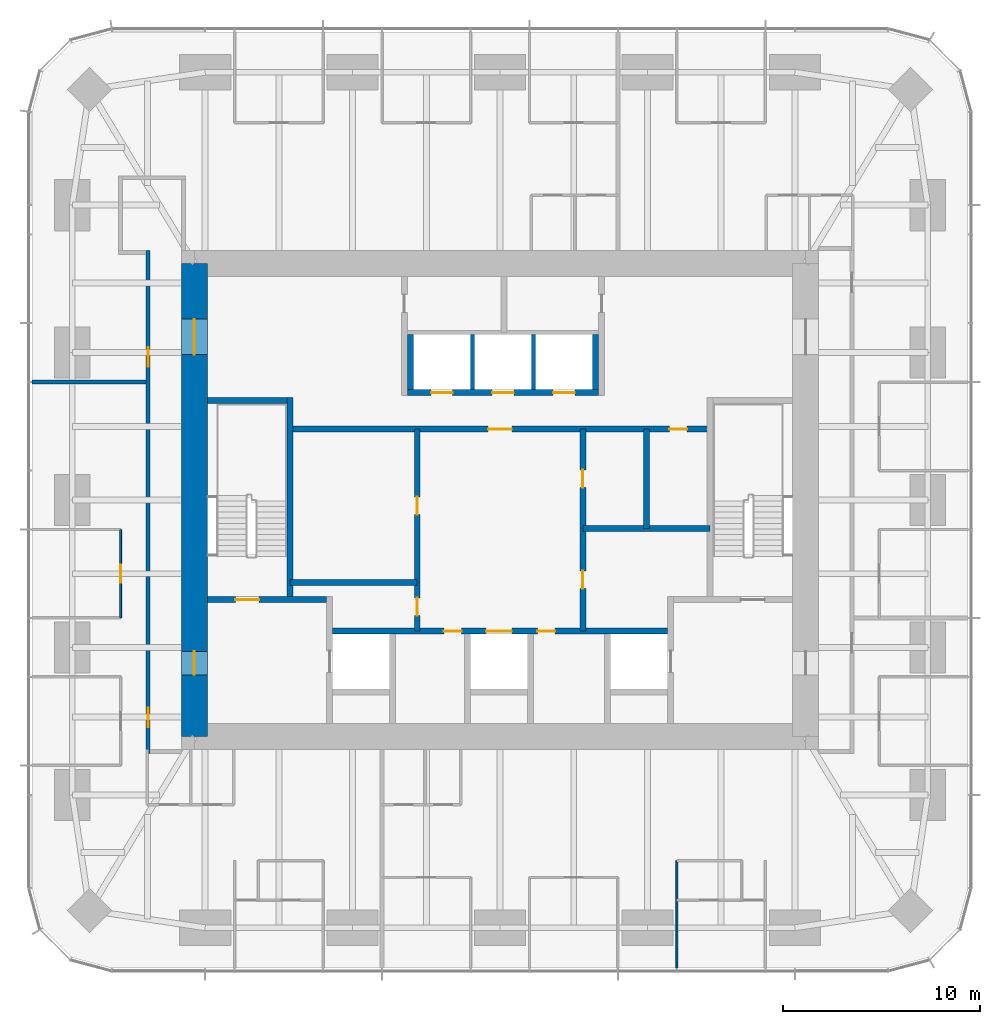
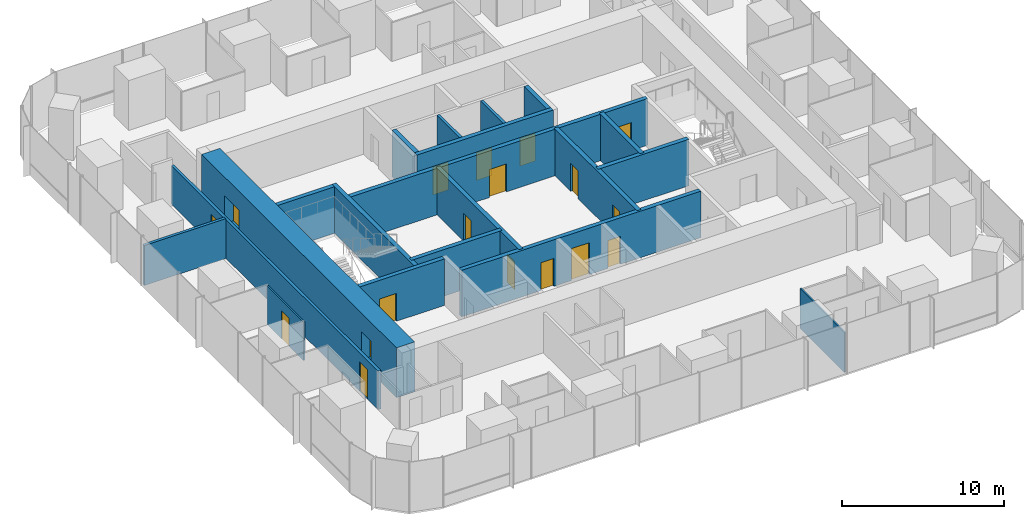
# One storey, part 9 of 12: 20 walls, 18 doors, 18 openings.
"""IFC4 building model written with IfcOpenShell, lengths in metres."""

from ifc_helpers import new_model, si_unit, direction, frame, frame_2d, origin, place, context, subcontext, project, spatial, rectangle, extrude, material, layer, layer_set, type_object, element, fill, save


model = new_model("IFC4")

# Units and contexts
model_context = context("Model", 3, precision=1e-05, world=origin(), true_north=direction((0.0, 1.0)))
body_context = subcontext(model_context, "Body", "Model", "MODEL_VIEW")
ifc_project = project(units=[si_unit("LENGTHUNIT", "METRE"), si_unit("AREAUNIT", "SQUARE_METRE"), si_unit("VOLUMEUNIT", "CUBIC_METRE"), si_unit("PLANEANGLEUNIT", "RADIAN"), si_unit("MASSUNIT", "GRAM", prefix="KILO")], contexts=[model_context])

# Site, building, storey
site_placement = place(None, origin())
site = spatial("IfcSite", under=ifc_project, at=site_placement, CompositionType="ELEMENT")
building_placement = place(site_placement, origin())
building = spatial("IfcBuilding", under=site, at=building_placement, Name="Khuree Lantern Residences", CompositionType="ELEMENT")
storey_placement = place(building_placement, frame((0.0, 0.0, 297.0)))
storey = spatial("IfcBuildingStorey", under=building, at=storey_placement, Name="L74", CompositionType="ELEMENT", Elevation=297.0)

# Wall, openings, doors
ifc_material_1 = material(Name="Dense concrete blockwork", Category="masonry")
ifc_layer_1 = layer(ifc_material_1, 0.300048828125)
ifc_layer_set_1 = layer_set([ifc_layer_1], Name="CORE PARTITION WALL CPW300 EI 120")
wall_type_1 = type_object("IfcWallType", Name="CORE PARTITION WALL CPW300 EI 120", PredefinedType="PARTITIONING", material=ifc_layer_set_1)
wall_1_placement = place(storey_placement, frame((-8.5, -6.64990234375, 0.0), z_axis=(0.0, 0.0, 1.0), x_axis=(1.0, 0.0, 0.0)))
wall_1 = element("IfcWall", 1, at=wall_1_placement, inside=storey, type_object=wall_type_1, Name="L74 CORE WALL FLROW", PredefinedType="PARTITIONING", context=body_context, shape_type="SweptSolid", body=[
    extrude(rectangle(XDim=17.0, YDim=0.300048828125, at=frame_2d((8.5, 0.0))), origin(), (0.0, 0.0, 1.0), 3.5),
])
opening_1_placement = place(wall_1_placement, frame((7.800048828125, 0.0, 0.0)))
opening_1 = element("IfcOpeningElement", 2, at=opening_1_placement, cuts=wall_1, Name="Opening 74-012", PredefinedType="OPENING", context=body_context, shape_type="SweptSolid", body=[
    extrude(rectangle(XDim=1.300048828125, YDim=2.39990234375, at=frame_2d((0.64990234375, 1.199951171875))), frame((0.0, 0.16015625, 0.0), z_axis=(0.0, -1.0, 0.0), x_axis=(1.0, 0.0, 0.0)), (0.0, 0.0, 1.0), 0.320068359375),
])
opening_2_placement = place(wall_1_placement, frame((5.64990234375, 0.0, 0.0)))
opening_2 = element("IfcOpeningElement", 3, at=opening_2_placement, cuts=wall_1, Name="Opening 74-014", PredefinedType="OPENING", context=body_context, shape_type="SweptSolid", body=[
    extrude(rectangle(XDim=0.89990234375, YDim=2.10009765625, at=frame_2d((0.449951171875, 1.050048828125))), frame((0.0, 0.16015625, 0.0), z_axis=(0.0, -1.0, 0.0), x_axis=(1.0, 0.0, 0.0)), (0.0, 0.0, 1.0), 0.320068359375),
])
opening_3_placement = place(wall_1_placement, frame((10.39990234375, 0.0, 0.0)))
opening_3 = element("IfcOpeningElement", 4, at=opening_3_placement, cuts=wall_1, Name="Opening 74-015", PredefinedType="OPENING", context=body_context, shape_type="SweptSolid", body=[
    extrude(rectangle(XDim=0.89990234375, YDim=2.10009765625, at=frame_2d((0.449951171875, 1.050048828125))), frame((0.0, 0.16015625, 0.0), z_axis=(0.0, -1.0, 0.0), x_axis=(1.0, 0.0, 0.0)), (0.0, 0.0, 1.0), 0.320068359375),
])
ifc_material_2 = material(Name="Steel door leaf in steel frame", Category="steel")
door_type_1 = type_object("IfcDoorType", Name="DOOR 900X2100 EI 60", OperationType="SINGLE_SWING_LEFT", PredefinedType="DOOR", material=ifc_material_2)
door_1_placement = place(opening_2_placement, origin())
door_1 = element("IfcDoor", 5, at=door_1_placement, inside=storey, type_object=door_type_1, Name="Refuse chute room door 74-014", OperationType="SINGLE_SWING_LEFT", OverallHeight=2.10009765625, OverallWidth=0.89990234375, PredefinedType="DOOR", context=body_context, shape_type="SweptSolid", body=[
    extrude(rectangle(XDim=0.89990234375, YDim=2.10009765625, at=frame_2d((0.449951171875, 1.050048828125))), frame((0.0, 0.02490234375, 0.0), z_axis=(0.0, -1.0, 0.0), x_axis=(1.0, 0.0, 0.0)), (0.0, 0.0, 1.0), 0.050048828125),
])
fill(opening_2, door_1)
door_type_2 = type_object("IfcDoorType", Name="DOOR 900X2100 EI 60 RIGHT HAND", OperationType="SINGLE_SWING_RIGHT", PredefinedType="DOOR", material=ifc_material_2)
door_2_placement = place(opening_3_placement, origin())
door_2 = element("IfcDoor", 6, at=door_2_placement, inside=storey, type_object=door_type_2, Name="Electrical and plumbing riser door 74-015", OperationType="SINGLE_SWING_RIGHT", OverallHeight=2.10009765625, OverallWidth=0.89990234375, PredefinedType="DOOR", context=body_context, shape_type="SweptSolid", body=[
    extrude(rectangle(XDim=0.89990234375, YDim=2.10009765625, at=frame_2d((0.449951171875, 1.050048828125))), frame((0.0, 0.02490234375, 0.0), z_axis=(0.0, -1.0, 0.0), x_axis=(1.0, 0.0, 0.0)), (0.0, 0.0, 1.0), 0.050048828125),
])
fill(opening_3, door_2)
ifc_material_3 = material(Name="Stainless steel lift landing door", Category="steel")
door_type_3 = type_object("IfcDoorType", Name="LIFT LANDING DOOR 1300X2400 E 60", OperationType="DOUBLE_DOOR_SLIDING", PredefinedType="DOOR", material=ifc_material_3)
door_3_placement = place(opening_1_placement, origin())
door_3 = element("IfcDoor", 7, at=door_3_placement, inside=storey, type_object=door_type_3, Name="Landing door SL1 74-012", OperationType="DOUBLE_DOOR_SLIDING", OverallHeight=2.39990234375, OverallWidth=1.300048828125, PredefinedType="DOOR", context=body_context, shape_type="SweptSolid", body=[
    extrude(rectangle(XDim=1.300048828125, YDim=2.39990234375, at=frame_2d((0.64990234375, 1.199951171875))), frame((0.0, 0.02490234375, 0.0), z_axis=(0.0, -1.0, 0.0), x_axis=(1.0, 0.0, 0.0)), (0.0, 0.0, 1.0), 0.050048828125),
])
fill(opening_1, door_3)

wall_2_placement = place(storey_placement, frame((-4.699951171875, 5.449951171875, 0.0), z_axis=(0.0, 0.0, 1.0), x_axis=(1.0, 0.0, 0.0)))
wall_2 = element("IfcWall", 8, at=wall_2_placement, inside=storey, type_object=wall_type_1, Name="L74 CORE WALL PHS", PredefinedType="PARTITIONING", context=body_context, shape_type="SweptSolid", body=[
    extrude(rectangle(XDim=9.699951171875, YDim=0.300048828125, at=frame_2d((4.85009765625, 0.0))), origin(), (0.0, 0.0, 1.0), 3.5),
])
opening_4_placement = place(wall_2_placement, frame((1.199951171875, 0.0, 0.0)))
opening_4 = element("IfcOpeningElement", 9, at=opening_4_placement, cuts=wall_2, Name="Opening 74-009", PredefinedType="OPENING", context=body_context, shape_type="SweptSolid", body=[
    extrude(rectangle(XDim=1.10009765625, YDim=2.10009765625, at=frame_2d((0.550048828125, 1.050048828125))), frame((0.0, 0.16015625, 0.0), z_axis=(0.0, -1.0, 0.0), x_axis=(1.0, 0.0, 0.0)), (0.0, 0.0, 1.0), 0.320068359375),
])
opening_5_placement = place(wall_2_placement, frame((4.300048828125, 0.0, 0.0)))
opening_5 = element("IfcOpeningElement", 10, at=opening_5_placement, cuts=wall_2, Name="Opening 74-010", PredefinedType="OPENING", context=body_context, shape_type="SweptSolid", body=[
    extrude(rectangle(XDim=1.10009765625, YDim=2.10009765625, at=frame_2d((0.550048828125, 1.050048828125))), frame((0.0, 0.16015625, 0.0), z_axis=(0.0, -1.0, 0.0), x_axis=(1.0, 0.0, 0.0)), (0.0, 0.0, 1.0), 0.320068359375),
])
opening_6_placement = place(wall_2_placement, frame((7.39990234375, 0.0, 0.0)))
opening_6 = element("IfcOpeningElement", 11, at=opening_6_placement, cuts=wall_2, Name="Opening 74-011", PredefinedType="OPENING", context=body_context, shape_type="SweptSolid", body=[
    extrude(rectangle(XDim=1.10009765625, YDim=2.10009765625, at=frame_2d((0.550048828125, 1.050048828125))), frame((0.0, 0.16015625, 0.0), z_axis=(0.0, -1.0, 0.0), x_axis=(1.0, 0.0, 0.0)), (0.0, 0.0, 1.0), 0.320068359375),
])
door_type_4 = type_object("IfcDoorType", Name="LIFT LANDING DOOR 1100X2100 E 60", OperationType="DOUBLE_DOOR_SLIDING", PredefinedType="DOOR", material=ifc_material_3)
door_4_placement = place(opening_4_placement, origin())
door_4 = element("IfcDoor", 12, at=door_4_placement, inside=storey, type_object=door_type_4, Name="Landing door PH1 74-009", OperationType="DOUBLE_DOOR_SLIDING", OverallHeight=2.10009765625, OverallWidth=1.10009765625, PredefinedType="DOOR", context=body_context, shape_type="SweptSolid", body=[
    extrude(rectangle(XDim=1.10009765625, YDim=2.10009765625, at=frame_2d((0.550048828125, 1.050048828125))), frame((0.0, 0.02490234375, 0.0), z_axis=(0.0, -1.0, 0.0), x_axis=(1.0, 0.0, 0.0)), (0.0, 0.0, 1.0), 0.050048828125),
])
fill(opening_4, door_4)
door_5_placement = place(opening_5_placement, origin())
door_5 = element("IfcDoor", 13, at=door_5_placement, inside=storey, type_object=door_type_4, Name="Landing door PH2 74-010", OperationType="DOUBLE_DOOR_SLIDING", OverallHeight=2.10009765625, OverallWidth=1.10009765625, PredefinedType="DOOR", context=body_context, shape_type="SweptSolid", body=[
    extrude(rectangle(XDim=1.10009765625, YDim=2.10009765625, at=frame_2d((0.550048828125, 1.050048828125))), frame((0.0, 0.02490234375, 0.0), z_axis=(0.0, -1.0, 0.0), x_axis=(1.0, 0.0, 0.0)), (0.0, 0.0, 1.0), 0.050048828125),
])
fill(opening_5, door_5)
door_6_placement = place(opening_6_placement, origin())
door_6 = element("IfcDoor", 14, at=door_6_placement, inside=storey, type_object=door_type_4, Name="Landing door PH3 74-011", OperationType="DOUBLE_DOOR_SLIDING", OverallHeight=2.10009765625, OverallWidth=1.10009765625, PredefinedType="DOOR", context=body_context, shape_type="SweptSolid", body=[
    extrude(rectangle(XDim=1.10009765625, YDim=2.10009765625, at=frame_2d((0.550048828125, 1.050048828125))), frame((0.0, 0.02490234375, 0.0), z_axis=(0.0, -1.0, 0.0), x_axis=(1.0, 0.0, 0.0)), (0.0, 0.0, 1.0), 0.050048828125),
])
fill(opening_6, door_6)

# Walls
for number, where, z_axis, x_axis, name in (
    (15, (-4.550048828125, 5.60009765625, 0.0), (0.0, 0.0, 1.0), (0.0, 1.0, 0.0), "L74 CORE WALL PHW"),
    (16, (4.85009765625, 5.60009765625, 0.0), (0.0, 0.0, 1.0), (0.0, 1.0, 0.0), "L74 CORE WALL PHE"),
):
    element("IfcWall", number, at=place(storey_placement, frame(where, z_axis=z_axis, x_axis=x_axis)), inside=storey, type_object=wall_type_1, Name=name, PredefinedType="PARTITIONING", context=body_context, shape_type="SweptSolid", body=[
        extrude(rectangle(XDim=2.7998046875, YDim=0.300048828125, at=frame_2d((1.39990234375, 0.0))), origin(), (0.0, 0.0, 1.0), 3.5),
    ])

# Wall, openings, doors
wall_3_placement = place(storey_placement, frame((-10.64990234375, 3.60009765625, 0.0), z_axis=(0.0, 0.0, 1.0), x_axis=(1.0, 0.0, 0.0)))
wall_3 = element("IfcWall", 17, at=wall_3_placement, inside=storey, type_object=wall_type_1, Name="L74 CORE WALL LLS", PredefinedType="PARTITIONING", context=body_context, shape_type="SweptSolid", body=[
    extrude(rectangle(XDim=21.2998046875, YDim=0.300048828125, at=frame_2d((10.64990234375, 0.0))), origin(), (0.0, 0.0, 1.0), 3.5),
])
opening_7_placement = place(wall_3_placement, frame((10.050048828125, 0.0, 0.0)))
opening_7 = element("IfcOpeningElement", 18, at=opening_7_placement, cuts=wall_3, Name="Opening 74-013", PredefinedType="OPENING", context=body_context, shape_type="SweptSolid", body=[
    extrude(rectangle(XDim=1.199951171875, YDim=2.10009765625, at=frame_2d((0.60009765625, 1.050048828125))), frame((0.0, 0.16015625, 0.0), z_axis=(0.0, -1.0, 0.0), x_axis=(1.0, 0.0, 0.0)), (0.0, 0.0, 1.0), 0.320068359375),
])
opening_8_placement = place(wall_3_placement, frame((19.238037109375, 0.0, 0.0)))
opening_8 = element("IfcOpeningElement", 19, at=opening_8_placement, cuts=wall_3, Name="Opening 74-020", PredefinedType="OPENING", context=body_context, shape_type="SweptSolid", body=[
    extrude(rectangle(XDim=0.89990234375, YDim=2.10009765625, at=frame_2d((0.449951171875, 1.050048828125))), frame((0.0, 0.16015625, 0.0), z_axis=(0.0, -1.0, 0.0), x_axis=(1.0, 0.0, 0.0)), (0.0, 0.0, 1.0), 0.320068359375),
])
door_type_5 = type_object("IfcDoorType", Name="DOOR 1200X2100 EI 60", OperationType="SINGLE_SWING_LEFT", PredefinedType="DOOR", material=ifc_material_2)
door_7_placement = place(opening_7_placement, origin())
door_7 = element("IfcDoor", 20, at=door_7_placement, inside=storey, type_object=door_type_5, Name="Service lift lobby door 74-013", OperationType="SINGLE_SWING_LEFT", OverallHeight=2.10009765625, OverallWidth=1.199951171875, PredefinedType="DOOR", context=body_context, shape_type="SweptSolid", body=[
    extrude(rectangle(XDim=1.199951171875, YDim=2.10009765625, at=frame_2d((0.60009765625, 1.050048828125))), frame((0.0, 0.02490234375, 0.0), z_axis=(0.0, -1.0, 0.0), x_axis=(1.0, 0.0, 0.0)), (0.0, 0.0, 1.0), 0.050048828125),
])
fill(opening_7, door_7)
ifc_material_4 = material(Name="Timber door leaf in hardwood frame", Category="wood")
door_type_6 = type_object("IfcDoorType", Name="DOOR 900X2100 RIGHT HAND", OperationType="SINGLE_SWING_RIGHT", PredefinedType="DOOR", material=ifc_material_4)
door_8_placement = place(opening_8_placement, origin())
door_8 = element("IfcDoor", 21, at=door_8_placement, inside=storey, type_object=door_type_6, Name="Housekeeping store door 74-020", OperationType="SINGLE_SWING_RIGHT", OverallHeight=2.10009765625, OverallWidth=0.89990234375, PredefinedType="DOOR", context=body_context, shape_type="SweptSolid", body=[
    extrude(rectangle(XDim=0.89990234375, YDim=2.10009765625, at=frame_2d((0.449951171875, 1.050048828125))), frame((0.0, 0.02490234375, 0.0), z_axis=(0.0, -1.0, 0.0), x_axis=(1.0, 0.0, 0.0)), (0.0, 0.0, 1.0), 0.050048828125),
])
fill(opening_8, door_8)

wall_4_placement = place(storey_placement, frame((-4.199951171875, -6.64990234375, 0.0), z_axis=(0.0, 0.0, 1.0), x_axis=(0.0, 1.0, 0.0)))
wall_4 = element("IfcWall", 22, at=wall_4_placement, inside=storey, type_object=wall_type_1, Name="L74 CORE WALL SVW", PredefinedType="PARTITIONING", context=body_context, shape_type="SweptSolid", body=[
    extrude(rectangle(XDim=10.25, YDim=0.300048828125, at=frame_2d((5.125, 0.0))), origin(), (0.0, 0.0, 1.0), 3.5),
])
opening_9_placement = place(wall_4_placement, frame((0.787109375, 0.0, 0.0)))
opening_9 = element("IfcOpeningElement", 23, at=opening_9_placement, cuts=wall_4, Name="Opening 74-016", PredefinedType="OPENING", context=body_context, shape_type="SweptSolid", body=[
    extrude(rectangle(XDim=0.89990234375, YDim=2.10009765625, at=frame_2d((0.449951171875, 1.050048828125))), frame((0.0, 0.16015625, 0.0), z_axis=(0.0, -1.0, 0.0), x_axis=(1.0, 0.0, 0.0)), (0.0, 0.0, 1.0), 0.320068359375),
])
opening_10_placement = place(wall_4_placement, frame((5.912109375, 0.0, 0.0)))
opening_10 = element("IfcOpeningElement", 24, at=opening_10_placement, cuts=wall_4, Name="Opening 74-017", PredefinedType="OPENING", context=body_context, shape_type="SweptSolid", body=[
    extrude(rectangle(XDim=0.89990234375, YDim=2.10009765625, at=frame_2d((0.449951171875, 1.050048828125))), frame((0.0, 0.16015625, 0.0), z_axis=(0.0, -1.0, 0.0), x_axis=(1.0, 0.0, 0.0)), (0.0, 0.0, 1.0), 0.320068359375),
])
door_type_7 = type_object("IfcDoorType", Name="DOOR 900X2100", OperationType="SINGLE_SWING_LEFT", PredefinedType="DOOR", material=ifc_material_4)
door_9_placement = place(opening_9_placement, origin())
door_9 = element("IfcDoor", 25, at=door_9_placement, inside=storey, type_object=door_type_7, Name="Housekeeping store door 74-016", OperationType="SINGLE_SWING_LEFT", OverallHeight=2.10009765625, OverallWidth=0.89990234375, PredefinedType="DOOR", context=body_context, shape_type="SweptSolid", body=[
    extrude(rectangle(XDim=0.89990234375, YDim=2.10009765625, at=frame_2d((0.449951171875, 1.050048828125))), frame((0.0, 0.02490234375, 0.0), z_axis=(0.0, -1.0, 0.0), x_axis=(1.0, 0.0, 0.0)), (0.0, 0.0, 1.0), 0.050048828125),
])
fill(opening_9, door_9)
door_10_placement = place(opening_10_placement, origin())
door_10 = element("IfcDoor", 26, at=door_10_placement, inside=storey, type_object=door_type_7, Name="Residents' store door 74-017", OperationType="SINGLE_SWING_LEFT", OverallHeight=2.10009765625, OverallWidth=0.89990234375, PredefinedType="DOOR", context=body_context, shape_type="SweptSolid", body=[
    extrude(rectangle(XDim=0.89990234375, YDim=2.10009765625, at=frame_2d((0.449951171875, 1.050048828125))), frame((0.0, 0.02490234375, 0.0), z_axis=(0.0, -1.0, 0.0), x_axis=(1.0, 0.0, 0.0)), (0.0, 0.0, 1.0), 0.050048828125),
])
fill(opening_10, door_10)

wall_5_placement = place(storey_placement, frame((4.199951171875, -6.64990234375, 0.0), z_axis=(0.0, 0.0, 1.0), x_axis=(0.0, 1.0, 0.0)))
wall_5 = element("IfcWall", 27, at=wall_5_placement, inside=storey, type_object=wall_type_1, Name="L74 CORE WALL SVE", PredefinedType="PARTITIONING", context=body_context, shape_type="SweptSolid", body=[
    extrude(rectangle(XDim=10.25, YDim=0.300048828125, at=frame_2d((5.125, 0.0))), origin(), (0.0, 0.0, 1.0), 3.5),
])
opening_11_placement = place(wall_5_placement, frame((2.14990234375, 0.0, 0.0)))
opening_11 = element("IfcOpeningElement", 28, at=opening_11_placement, cuts=wall_5, Name="Opening 74-018", PredefinedType="OPENING", context=body_context, shape_type="SweptSolid", body=[
    extrude(rectangle(XDim=0.89990234375, YDim=2.10009765625, at=frame_2d((0.449951171875, 1.050048828125))), frame((0.0, 0.16015625, 0.0), z_axis=(0.0, -1.0, 0.0), x_axis=(1.0, 0.0, 0.0)), (0.0, 0.0, 1.0), 0.320068359375),
])
opening_12_placement = place(wall_5_placement, frame((7.27490234375, 0.0, 0.0)))
opening_12 = element("IfcOpeningElement", 29, at=opening_12_placement, cuts=wall_5, Name="Opening 74-019", PredefinedType="OPENING", context=body_context, shape_type="SweptSolid", body=[
    extrude(rectangle(XDim=0.89990234375, YDim=2.10009765625, at=frame_2d((0.449951171875, 1.050048828125))), frame((0.0, 0.16015625, 0.0), z_axis=(0.0, -1.0, 0.0), x_axis=(1.0, 0.0, 0.0)), (0.0, 0.0, 1.0), 0.320068359375),
])
door_11_placement = place(opening_11_placement, origin())
door_11 = element("IfcDoor", 30, at=door_11_placement, inside=storey, type_object=door_type_7, Name="Residents' store door 74-018", OperationType="SINGLE_SWING_LEFT", OverallHeight=2.10009765625, OverallWidth=0.89990234375, PredefinedType="DOOR", context=body_context, shape_type="SweptSolid", body=[
    extrude(rectangle(XDim=0.89990234375, YDim=2.10009765625, at=frame_2d((0.449951171875, 1.050048828125))), frame((0.0, 0.02490234375, 0.0), z_axis=(0.0, -1.0, 0.0), x_axis=(1.0, 0.0, 0.0)), (0.0, 0.0, 1.0), 0.050048828125),
])
fill(opening_11, door_11)
door_12_placement = place(opening_12_placement, origin())
door_12 = element("IfcDoor", 31, at=door_12_placement, inside=storey, type_object=door_type_6, Name="Refuse holding room door 74-019", OperationType="SINGLE_SWING_RIGHT", OverallHeight=2.10009765625, OverallWidth=0.89990234375, PredefinedType="DOOR", context=body_context, shape_type="SweptSolid", body=[
    extrude(rectangle(XDim=0.89990234375, YDim=2.10009765625, at=frame_2d((0.449951171875, 1.050048828125))), frame((0.0, 0.02490234375, 0.0), z_axis=(0.0, -1.0, 0.0), x_axis=(1.0, 0.0, 0.0)), (0.0, 0.0, 1.0), 0.050048828125),
])
fill(opening_12, door_12)

# Walls
for number, where, z_axis, x_axis, name in (
    (32, (-10.64990234375, -4.177001953125, 0.0), (0.0, 0.0, 1.0), (1.0, 0.0, 0.0), "L74 CORE WALL WX"),
    (33, (10.64990234375, -1.449951171875, 0.0), (0.0, 0.0, 1.0), (-1.0, 0.0, 0.0), "L74 CORE WALL EX"),
):
    element("IfcWall", number, at=place(storey_placement, frame(where, z_axis=z_axis, x_axis=x_axis)), inside=storey, type_object=wall_type_1, Name=name, PredefinedType="PARTITIONING", context=body_context, shape_type="SweptSolid", body=[
        extrude(rectangle(XDim=6.449951171875, YDim=0.300048828125, at=frame_2d((3.22509765625, 0.0))), origin(), (0.0, 0.0, 1.0), 3.5),
    ])
wall_6_placement = place(storey_placement, frame((7.425048828125, -1.449951171875, 0.0), z_axis=(0.0, 0.0, 1.0), x_axis=(0.0, 1.0, 0.0)))
element("IfcWall", 34, at=wall_6_placement, inside=storey, type_object=wall_type_1, Name="L74 CORE WALL EV", PredefinedType="PARTITIONING", context=body_context, shape_type="SweptSolid", body=[
    extrude(rectangle(XDim=5.050048828125, YDim=0.300048828125, at=frame_2d((2.52490234375, 0.0))), origin(), (0.0, 0.0, 1.0), 3.5),
])

# Wall, openings, doors
ifc_material_5 = material(Name="Gypsum board on steel studs", Category="steel")
ifc_layer_2 = layer(ifc_material_5, 0.199951171875)
ifc_layer_set_2 = layer_set([ifc_layer_2], Name="CORRIDOR WALL CRW200 EI 60")
wall_type_2 = type_object("IfcWallType", Name="CORRIDOR WALL CRW200 EI 60", PredefinedType="PARTITIONING", material=ifc_layer_set_2)
wall_7_placement = place(storey_placement, frame((-17.85009765625, 12.64990234375, 0.0), z_axis=(0.0, 0.0, 1.0), x_axis=(0.0, -1.0, 0.0)))
wall_7 = element("IfcWall", 35, at=wall_7_placement, inside=storey, type_object=wall_type_2, Name="L74 CORRIDOR WALL WEST 1", PredefinedType="PARTITIONING", context=body_context, shape_type="SweptSolid", body=[
    extrude(rectangle(XDim=25.5, YDim=0.199951171875, at=frame_2d((12.75, 0.0))), origin(), (0.0, 0.0, 1.0), 2.89990234375),
])
opening_13_placement = place(wall_7_placement, frame((4.89990234375, 0.0, 0.0)))
opening_13 = element("IfcOpeningElement", 36, at=opening_13_placement, cuts=wall_7, Name="Opening 74-034", PredefinedType="OPENING", context=body_context, shape_type="SweptSolid", body=[
    extrude(rectangle(XDim=1.0, YDim=2.199951171875, at=frame_2d((0.5, 1.10009765625))), frame((0.0, 0.10986328125, 0.0), z_axis=(0.0, -1.0, 0.0), x_axis=(1.0, 0.0, 0.0)), (0.0, 0.0, 1.0), 0.219970703125),
])
opening_14_placement = place(wall_7_placement, frame((23.18603515625, 0.0, 0.0)))
opening_14 = element("IfcOpeningElement", 37, at=opening_14_placement, cuts=wall_7, Name="Opening 74-041", PredefinedType="OPENING", context=body_context, shape_type="SweptSolid", body=[
    extrude(rectangle(XDim=1.0, YDim=2.199951171875, at=frame_2d((0.5, 1.10009765625))), frame((0.0, 0.10986328125, 0.0), z_axis=(0.0, -1.0, 0.0), x_axis=(1.0, 0.0, 0.0)), (0.0, 0.0, 1.0), 0.219970703125),
])
door_type_8 = type_object("IfcDoorType", Name="APARTMENT ENTRANCE DOOR 1000X2200 EI 30S", OperationType="SINGLE_SWING_LEFT", PredefinedType="DOOR", material=ifc_material_4)
door_13_placement = place(opening_13_placement, origin())
door_13 = element("IfcDoor", 38, at=door_13_placement, inside=storey, type_object=door_type_8, Name="Apartment 02 entrance door 74-034", OperationType="SINGLE_SWING_LEFT", OverallHeight=2.199951171875, OverallWidth=1.0, PredefinedType="DOOR", context=body_context, shape_type="SweptSolid", body=[
    extrude(rectangle(XDim=1.0, YDim=2.199951171875, at=frame_2d((0.5, 1.10009765625))), frame((0.0, 0.02490234375, 0.0), z_axis=(0.0, -1.0, 0.0), x_axis=(1.0, 0.0, 0.0)), (0.0, 0.0, 1.0), 0.050048828125),
])
fill(opening_13, door_13)
door_type_9 = type_object("IfcDoorType", Name="APARTMENT ENTRANCE DOOR 1000X2200 EI 30S RIGHT HAND", OperationType="SINGLE_SWING_RIGHT", PredefinedType="DOOR", material=ifc_material_4)
door_14_placement = place(opening_14_placement, origin())
door_14 = element("IfcDoor", 39, at=door_14_placement, inside=storey, type_object=door_type_9, Name="Apartment 03 entrance door 74-041", OperationType="SINGLE_SWING_RIGHT", OverallHeight=2.199951171875, OverallWidth=1.0, PredefinedType="DOOR", context=body_context, shape_type="SweptSolid", body=[
    extrude(rectangle(XDim=1.0, YDim=2.199951171875, at=frame_2d((0.5, 1.10009765625))), frame((0.0, 0.02490234375, 0.0), z_axis=(0.0, -1.0, 0.0), x_axis=(1.0, 0.0, 0.0)), (0.0, 0.0, 1.0), 0.050048828125),
])
fill(opening_14, door_14)

ifc_material_6 = material(Name="Concrete C50/60", Category="concrete")
ifc_layer_3 = layer(ifc_material_6, 1.300048828125)
ifc_layer_set_3 = layer_set([ifc_layer_3], Name="CW1300-C50 CORE WALL C50 1300")
wall_type_3 = type_object("IfcWallType", Name="CW1300-C50 CORE WALL C50 1300", PredefinedType="SHEAR", material=ifc_layer_set_3)
wall_8_placement = place(storey_placement, frame((-15.5, -12.0, -0.25), z_axis=(0.0, 0.0, 1.0), x_axis=(0.0, 1.0, 0.0)))
wall_8 = element("IfcWall", 40, at=wall_8_placement, inside=storey, type_object=wall_type_3, Name="Core wall W", PredefinedType="SHEAR", context=body_context, shape_type="SweptSolid", body=[
    extrude(rectangle(XDim=24.0, YDim=1.300048828125, at=frame_2d((12.0, 0.0))), origin(), (0.0, 0.0, 1.0), 3.75),
])
opening_15_placement = place(wall_8_placement, frame((3.125, 0.0, 0.25)))
opening_15 = element("IfcOpeningElement", 41, at=opening_15_placement, cuts=wall_8, Name="Opening 74-002", PredefinedType="OPENING", context=body_context, shape_type="SweptSolid", body=[
    extrude(rectangle(XDim=1.199951171875, YDim=2.10009765625, at=frame_2d((0.60009765625, 1.050048828125))), frame((0.0, 0.66015625, 0.0), z_axis=(0.0, -1.0, 0.0), x_axis=(1.0, 0.0, 0.0)), (0.0, 0.0, 1.0), 1.320068359375),
])
opening_16_placement = place(wall_8_placement, frame((19.375, 0.0, 0.25)))
opening_16 = element("IfcOpeningElement", 42, at=opening_16_placement, cuts=wall_8, Name="Opening 74-003", PredefinedType="OPENING", context=body_context, shape_type="SweptSolid", body=[
    extrude(rectangle(XDim=1.800048828125, YDim=2.10009765625, at=frame_2d((0.89990234375, 1.050048828125))), frame((0.0, 0.66015625, 0.0), z_axis=(0.0, -1.0, 0.0), x_axis=(1.0, 0.0, 0.0)), (0.0, 0.0, 1.0), 1.320068359375),
])
door_type_10 = type_object("IfcDoorType", Name="LOBBY DOOR 1200X2100 EI 120", OperationType="SINGLE_SWING_LEFT", PredefinedType="DOOR", material=ifc_material_2)
door_15_placement = place(opening_15_placement, origin())
door_15 = element("IfcDoor", 43, at=door_15_placement, inside=storey, type_object=door_type_10, Name="Firefighting lobby door 74-002", OperationType="SINGLE_SWING_LEFT", OverallHeight=2.10009765625, OverallWidth=1.199951171875, PredefinedType="DOOR", context=body_context, shape_type="SweptSolid", body=[
    extrude(rectangle(XDim=1.199951171875, YDim=2.10009765625, at=frame_2d((0.60009765625, 1.050048828125))), frame((0.0, 0.02490234375, 0.0), z_axis=(0.0, -1.0, 0.0), x_axis=(1.0, 0.0, 0.0)), (0.0, 0.0, 1.0), 0.050048828125),
])
fill(opening_15, door_15)
door_type_11 = type_object("IfcDoorType", Name="LOBBY DOUBLE DOOR 1800X2100 EI 60", OperationType="DOUBLE_DOOR_SINGLE_SWING", PredefinedType="DOOR", material=ifc_material_2)
door_16_placement = place(opening_16_placement, origin())
door_16 = element("IfcDoor", 44, at=door_16_placement, inside=storey, type_object=door_type_11, Name="Lift lobby door 74-003", OperationType="DOUBLE_DOOR_SINGLE_SWING", OverallHeight=2.10009765625, OverallWidth=1.800048828125, PredefinedType="DOOR", context=body_context, shape_type="SweptSolid", body=[
    extrude(rectangle(XDim=1.800048828125, YDim=2.10009765625, at=frame_2d((0.89990234375, 1.050048828125))), frame((0.0, 0.02490234375, 0.0), z_axis=(0.0, -1.0, 0.0), x_axis=(1.0, 0.0, 0.0)), (0.0, 0.0, 1.0), 0.050048828125),
])
fill(opening_16, door_16)

# Walls
ifc_layer_4 = layer(ifc_material_5, 0.199951171875)
ifc_layer_set_4 = layer_set([ifc_layer_4], Name="DEMISING WALL DMW200 EI 90")
wall_type_4 = type_object("IfcWallType", Name="DEMISING WALL DMW200 EI 90", PredefinedType="PARTITIONING", material=ifc_layer_set_4)
wall_9_placement = place(storey_placement, frame((-17.949951171875, 5.98388671875, 0.0), z_axis=(0.0, 0.0, 1.0), x_axis=(-1.0, 0.0, 0.0)))
element("IfcWall", 45, at=wall_9_placement, inside=storey, type_object=wall_type_4, Name="L74 DEMISING WALL 03", PredefinedType="PARTITIONING", context=body_context, shape_type="SweptSolid", body=[
    extrude(rectangle(XDim=5.800048828125, YDim=0.199951171875, at=frame_2d((2.89990234375, 0.0))), origin(), (0.0, 0.0, 1.0), 3.010009765625),
])
ifc_layer_5 = layer(ifc_material_5, 0.10009765625)
ifc_layer_set_5 = layer_set([ifc_layer_5], Name="PARTITION PT100")
wall_type_5 = type_object("IfcWallType", Name="PARTITION PT100", PredefinedType="PARTITIONING", material=ifc_layer_set_5)
wall_10_placement = place(storey_placement, frame((8.97607421875, -18.29638671875, 0.0), z_axis=(0.0, 0.0, 1.0), x_axis=(0.0, -1.0, 0.0)))
element("IfcWall", 46, at=wall_10_placement, inside=storey, type_object=wall_type_5, Name="L74 PARTITION 04", PredefinedType="PARTITIONING", context=body_context, shape_type="SweptSolid", body=[
    extrude(rectangle(XDim=5.45361328125, YDim=0.10009765625, at=frame_2d((2.726806640625, 0.0))), origin(), (0.0, 0.0, 1.0), 3.010009765625),
])

# Wall, opening, door
wall_11_placement = place(storey_placement, frame((-19.25, -1.49609375, 0.0), z_axis=(0.0, 0.0, 1.0), x_axis=(0.0, -1.0, 0.0)))
wall_11 = element("IfcWall", 47, at=wall_11_placement, inside=storey, type_object=wall_type_5, Name="L74 PARTITION 03", PredefinedType="PARTITIONING", context=body_context, shape_type="SweptSolid", body=[
    extrude(rectangle(XDim=4.48779296875, YDim=0.10009765625, at=frame_2d((2.243896484375, 0.0))), origin(), (0.0, 0.0, 1.0), 2.909912109375),
])
opening_17_placement = place(wall_11_placement, frame((1.7939453125, 0.0, 0.0)))
opening_17 = element("IfcOpeningElement", 48, at=opening_17_placement, cuts=wall_11, Name="Opening 74-035", PredefinedType="OPENING", context=body_context, shape_type="SweptSolid", body=[
    extrude(rectangle(XDim=0.89990234375, YDim=2.10009765625, at=frame_2d((0.449951171875, 1.050048828125))), frame((0.0, 0.06005859375, 0.0), z_axis=(0.0, -1.0, 0.0), x_axis=(1.0, 0.0, 0.0)), (0.0, 0.0, 1.0), 0.1201171875),
])
door_type_12 = type_object("IfcDoorType", Name="BEDROOM DOOR 900X2100", OperationType="SINGLE_SWING_LEFT", PredefinedType="DOOR", material=ifc_material_4)
door_17_placement = place(opening_17_placement, origin())
door_17 = element("IfcDoor", 49, at=door_17_placement, inside=storey, type_object=door_type_12, Name="Bedroom door 74-035", OperationType="SINGLE_SWING_LEFT", OverallHeight=2.10009765625, OverallWidth=0.89990234375, PredefinedType="DOOR", context=body_context, shape_type="SweptSolid", body=[
    extrude(rectangle(XDim=0.89990234375, YDim=2.10009765625, at=frame_2d((0.449951171875, 1.050048828125))), frame((0.0, 0.02490234375, 0.0), z_axis=(0.0, -1.0, 0.0), x_axis=(1.0, 0.0, 0.0)), (0.0, 0.0, 1.0), 0.050048828125),
])
fill(opening_17, door_17)

# Walls
ifc_layer_6 = layer(ifc_material_1, 0.199951171875)
ifc_layer_set_6 = layer_set([ifc_layer_6], Name="SHAFT WALL SHW200 EI 120")
wall_type_6 = type_object("IfcWallType", Name="SHAFT WALL SHW200 EI 120", PredefinedType="PARTITIONING", material=ifc_layer_set_6)
for number, where, z_axis, x_axis, name in (
    (50, (-1.39990234375, 5.60009765625, 0.0), (0.0, 0.0, 1.0), (0.0, 1.0, 0.0), "L74 CORE WALL PHD1"),
    (51, (1.699951171875, 5.60009765625, 0.0), (0.0, 0.0, 1.0), (0.0, 1.0, 0.0), "L74 CORE WALL PHD2"),
):
    element("IfcWall", number, at=place(storey_placement, frame(where, z_axis=z_axis, x_axis=x_axis)), inside=storey, type_object=wall_type_6, Name=name, PredefinedType="PARTITIONING", context=body_context, shape_type="SweptSolid", body=[
        extrude(rectangle(XDim=2.7998046875, YDim=0.199951171875, at=frame_2d((1.39990234375, 0.0))), origin(), (0.0, 0.0, 1.0), 3.5),
    ])
ifc_layer_7 = layer(ifc_material_6, 0.300048828125)
ifc_layer_set_7 = layer_set([ifc_layer_7], Name="STAIR WALL SRW300 C50/60 REI 240")
wall_type_7 = type_object("IfcWallType", Name="STAIR WALL SRW300 C50/60 REI 240", PredefinedType="SOLIDWALL", material=ifc_layer_set_7)
wall_12_placement = place(storey_placement, frame((-10.64990234375, -4.89990234375, 0.0), z_axis=(0.0, 0.0, 1.0), x_axis=(0.0, 1.0, 0.0)))
element("IfcWall", 52, at=wall_12_placement, inside=storey, type_object=wall_type_7, Name="L74 STAIR WALL ST1E", PredefinedType="SOLIDWALL", context=body_context, shape_type="SweptSolid", body=[
    extrude(rectangle(XDim=10.099853515625, YDim=0.300048828125, at=frame_2d((5.0498046875, 0.0))), origin(), (0.0, 0.0, 1.0), 3.5),
])

# Wall, opening, door
wall_13_placement = place(storey_placement, frame((-14.85009765625, -5.050048828125, 0.0), z_axis=(0.0, 0.0, 1.0), x_axis=(1.0, 0.0, 0.0)))
wall_13 = element("IfcWall", 53, at=wall_13_placement, inside=storey, type_object=wall_type_7, Name="L74 STAIR WALL ST1S", PredefinedType="SOLIDWALL", context=body_context, shape_type="SweptSolid", body=[
    extrude(rectangle(XDim=6.050048828125, YDim=0.300048828125, at=frame_2d((3.02490234375, 0.0))), origin(), (0.0, 0.0, 1.0), 3.5),
])
opening_18_placement = place(wall_13_placement, frame((1.425048828125, 0.0, 0.0)))
opening_18 = element("IfcOpeningElement", 54, at=opening_18_placement, cuts=wall_13, Name="Opening 74-001", PredefinedType="OPENING", context=body_context, shape_type="SweptSolid", body=[
    extrude(rectangle(XDim=1.199951171875, YDim=2.10009765625, at=frame_2d((0.60009765625, 1.050048828125))), frame((0.0, 0.16015625, 0.0), z_axis=(0.0, -1.0, 0.0), x_axis=(1.0, 0.0, 0.0)), (0.0, 0.0, 1.0), 0.320068359375),
])
door_type_13 = type_object("IfcDoorType", Name="STAIR DOOR 1200X2100 EI 120", OperationType="SINGLE_SWING_LEFT", PredefinedType="DOOR", material=ifc_material_2)
door_18_placement = place(opening_18_placement, origin())
door_18 = element("IfcDoor", 55, at=door_18_placement, inside=storey, type_object=door_type_13, Name="Stair ST1 door 74-001", OperationType="SINGLE_SWING_LEFT", OverallHeight=2.10009765625, OverallWidth=1.199951171875, PredefinedType="DOOR", context=body_context, shape_type="SweptSolid", body=[
    extrude(rectangle(XDim=1.199951171875, YDim=2.10009765625, at=frame_2d((0.60009765625, 1.050048828125))), frame((0.0, 0.02490234375, 0.0), z_axis=(0.0, -1.0, 0.0), x_axis=(1.0, 0.0, 0.0)), (0.0, 0.0, 1.0), 0.050048828125),
])
fill(opening_18, door_18)

# Wall
wall_14_placement = place(storey_placement, frame((-14.85009765625, 5.050048828125, 0.0), z_axis=(0.0, 0.0, 1.0), x_axis=(1.0, 0.0, 0.0)))
element("IfcWall", 56, at=wall_14_placement, inside=storey, type_object=wall_type_7, Name="L74 STAIR WALL ST1N", PredefinedType="SOLIDWALL", context=body_context, shape_type="SweptSolid", body=[
    extrude(rectangle(XDim=4.050048828125, YDim=0.300048828125, at=frame_2d((2.02490234375, 0.0))), origin(), (0.0, 0.0, 1.0), 3.5),
])

save(model, "model.ifc")
